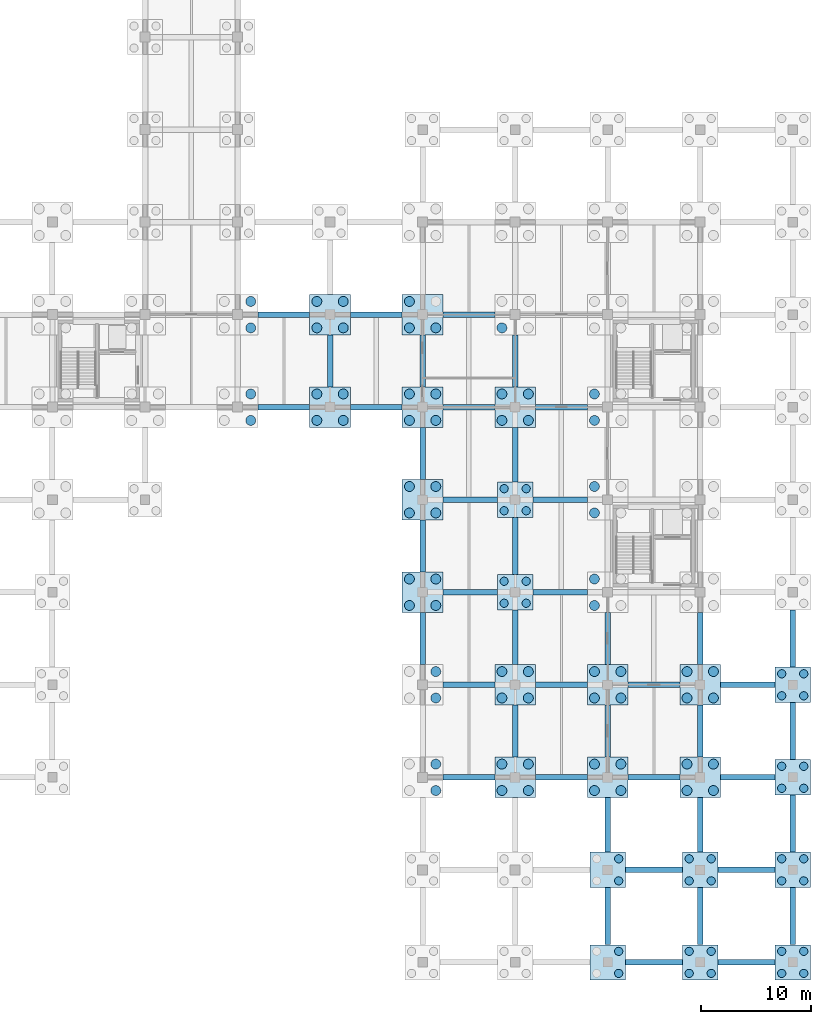
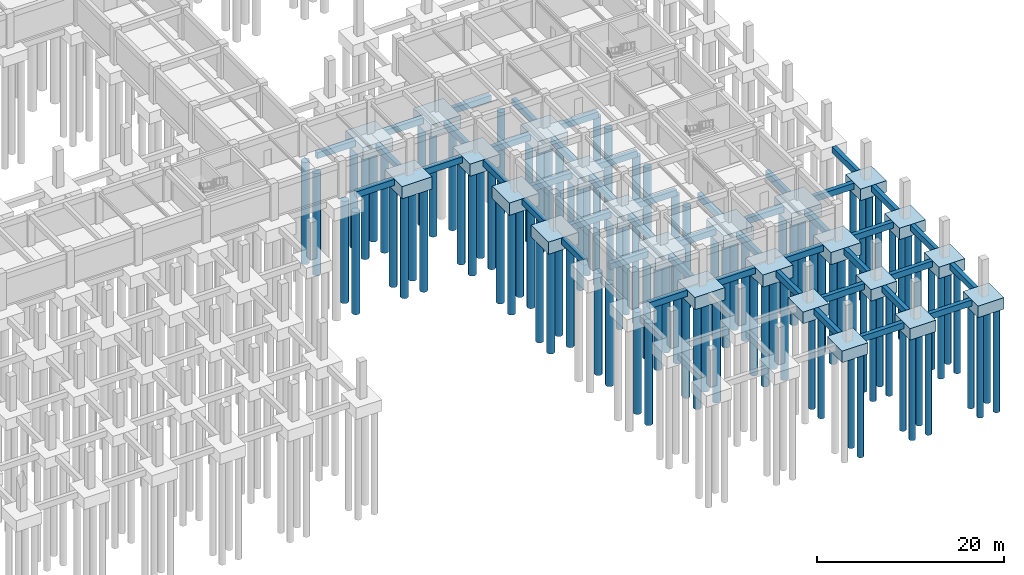
# One storey, part 9 of 29: 102 piles, 68 footings.
"""IFC4 building model written with IfcOpenShell, lengths in metres."""

from ifc_helpers import new_model, si_unit, direction, frame, origin, origin_2d, place, context, subcontext, project, spatial, rectangle, circle, extrude, material, material_profile, profile_set, type_object, element, save


model = new_model("IFC4")

# Units and contexts
model_context = context("Model", 3, precision=1e-05, world=origin(), true_north=direction((0.0, 1.0)))
body_context = subcontext(model_context, "Body", "Model", "MODEL_VIEW")
ifc_project = project(units=[si_unit("LENGTHUNIT", "METRE"), si_unit("AREAUNIT", "SQUARE_METRE"), si_unit("VOLUMEUNIT", "CUBIC_METRE"), si_unit("PLANEANGLEUNIT", "RADIAN"), si_unit("MASSUNIT", "GRAM", prefix="KILO")], contexts=[model_context])

# Site, building, storey
site_placement = place(None, origin())
site = spatial("IfcSite", under=ifc_project, at=site_placement, CompositionType="ELEMENT")
building_placement = place(site_placement, origin())
building = spatial("IfcBuilding", under=site, at=building_placement, Name="Porcellanite Civic Hall", CompositionType="ELEMENT")
storey_placement = place(building_placement, frame((0.0, 0.0, -4.5)))
storey = spatial("IfcBuildingStorey", under=building, at=storey_placement, Name="B1", CompositionType="ELEMENT", Elevation=-4.5)

# Footings
ifc_material_1 = material(Name="Concrete N40 (40 MPa)", Category="concrete")
ifc_material_profile_1 = material_profile(ifc_material_1, rectangle(XDim=0.5, YDim=0.800048828125, at=origin_2d()), Name="RC-500x800")
ifc_profile_set_1 = profile_set([ifc_material_profile_1], Name="Concrete N40 (40 MPa)")
footing_type_1 = type_object("IfcFootingType", Name="GB-01", PredefinedType="FOOTING_BEAM", material=ifc_profile_set_1)
for number, where, z_axis, x_axis, name in (
    (1, (127.85009765625, 50.39990234375, -0.75), (1.0, 0.0, 0.0), (0.0, 1.0, 0.0), "Ground tie beam B1 15-6 X"),
    (2, (127.85009765625, 58.800048828125, -0.75), (1.0, 0.0, 0.0), (0.0, 1.0, 0.0), "Ground tie beam B1 15-7 X"),
    (3, (136.25, 50.39990234375, -0.75), (1.0, 0.0, 0.0), (0.0, 1.0, 0.0), "Ground tie beam B1 16-6 X"),
    (4, (134.39990234375, 52.25, -0.75), (0.0, 1.0, 0.0), (-1.0, 0.0, 0.0), "Ground tie beam B1 16-6 Y"),
    (5, (136.25, 58.800048828125, -0.75), (1.0, 0.0, 0.0), (0.0, 1.0, 0.0), "Ground tie beam B1 16-7 X"),
):
    element("IfcFooting", number, at=place(storey_placement, frame(where, z_axis=z_axis, x_axis=x_axis)), inside=storey, type_object=footing_type_1, Name=name, PredefinedType="FOOTING_BEAM", context=body_context, shape_type="SweptSolid", body=[
        extrude(rectangle(XDim=0.5, YDim=0.800048828125, at=origin_2d()), origin(), (0.0, 0.0, 1.0), 4.699951171875),
    ])
for number, where, z_axis, x_axis, name in (
    (6, (144.64990234375, 16.800048828125, -0.75), (1.0, 0.0, 0.0), (0.0, 1.0, 0.0), "Ground tie beam B1 17-2 X"),
    (7, (144.64990234375, 25.199951171875, -0.75), (1.0, 0.0, 0.0), (0.0, 1.0, 0.0), "Ground tie beam B1 17-3 X"),
):
    element("IfcFooting", number, at=place(storey_placement, frame(where, z_axis=z_axis, x_axis=x_axis)), inside=storey, type_object=footing_type_1, Name=name, PredefinedType="FOOTING_BEAM", context=body_context, shape_type="SweptSolid", body=[
        extrude(rectangle(XDim=0.5, YDim=0.800048828125, at=origin_2d()), origin(), (0.0, 0.0, 1.0), 4.7001953125),
    ])
footing_1_placement = place(storey_placement, frame((142.800048828125, 27.050048828125, -0.75), z_axis=(0.0, 1.0, 0.0), x_axis=(-1.0, 0.0, 0.0)))
element("IfcFooting", 8, at=footing_1_placement, inside=storey, type_object=footing_type_1, Name="Ground tie beam B1 17-3 Y", PredefinedType="FOOTING_BEAM", context=body_context, shape_type="SweptSolid", body=[
    extrude(rectangle(XDim=0.5, YDim=0.800048828125, at=origin_2d()), origin(), (0.0, 0.0, 1.0), 4.699951171875),
])
footing_2_placement = place(storey_placement, frame((144.64990234375, 33.60009765625, -0.75), z_axis=(1.0, 0.0, 0.0), x_axis=(0.0, 1.0, 0.0)))
element("IfcFooting", 9, at=footing_2_placement, inside=storey, type_object=footing_type_1, Name="Ground tie beam B1 17-4 X", PredefinedType="FOOTING_BEAM", context=body_context, shape_type="SweptSolid", body=[
    extrude(rectangle(XDim=0.5, YDim=0.800048828125, at=origin_2d()), origin(), (0.0, 0.0, 1.0), 4.9501953125),
])
footing_3_placement = place(storey_placement, frame((142.800048828125, 35.449951171875, -0.75), z_axis=(0.0, 1.0, 0.0), x_axis=(-1.0, 0.0, 0.0)))
element("IfcFooting", 10, at=footing_3_placement, inside=storey, type_object=footing_type_1, Name="Ground tie beam B1 17-4 Y", PredefinedType="FOOTING_BEAM", context=body_context, shape_type="SweptSolid", body=[
    extrude(rectangle(XDim=0.5, YDim=0.800048828125, at=origin_2d()), origin(), (0.0, 0.0, 1.0), 4.699951171875),
])
footing_4_placement = place(storey_placement, frame((144.64990234375, 42.0, -0.75), z_axis=(1.0, 0.0, 0.0), x_axis=(0.0, 1.0, 0.0)))
element("IfcFooting", 11, at=footing_4_placement, inside=storey, type_object=footing_type_1, Name="Ground tie beam B1 17-5 X", PredefinedType="FOOTING_BEAM", context=body_context, shape_type="SweptSolid", body=[
    extrude(rectangle(XDim=0.5, YDim=0.800048828125, at=origin_2d()), origin(), (0.0, 0.0, 1.0), 4.9501953125),
])
footing_5_placement = place(storey_placement, frame((142.800048828125, 43.85009765625, -0.75), z_axis=(0.0, 1.0, 0.0), x_axis=(-1.0, 0.0, 0.0)))
element("IfcFooting", 12, at=footing_5_placement, inside=storey, type_object=footing_type_1, Name="Ground tie beam B1 17-5 Y", PredefinedType="FOOTING_BEAM", context=body_context, shape_type="SweptSolid", body=[
    extrude(rectangle(XDim=0.5, YDim=0.800048828125, at=origin_2d()), origin(), (0.0, 0.0, 1.0), 4.699951171875),
])
footing_6_placement = place(storey_placement, frame((144.64990234375, 50.39990234375, -0.75), z_axis=(1.0, 0.0, 0.0), x_axis=(0.0, 1.0, 0.0)))
element("IfcFooting", 13, at=footing_6_placement, inside=storey, type_object=footing_type_1, Name="Ground tie beam B1 17-6 X", PredefinedType="FOOTING_BEAM", context=body_context, shape_type="SweptSolid", body=[
    extrude(rectangle(XDim=0.5, YDim=0.800048828125, at=origin_2d()), origin(), (0.0, 0.0, 1.0), 4.7001953125),
])
footing_7_placement = place(storey_placement, frame((142.800048828125, 52.25, -0.75), z_axis=(0.0, 1.0, 0.0), x_axis=(-1.0, 0.0, 0.0)))
element("IfcFooting", 14, at=footing_7_placement, inside=storey, type_object=footing_type_1, Name="Ground tie beam B1 17-6 Y", PredefinedType="FOOTING_BEAM", context=body_context, shape_type="SweptSolid", body=[
    extrude(rectangle(XDim=0.5, YDim=0.800048828125, at=origin_2d()), origin(), (0.0, 0.0, 1.0), 4.699951171875),
])
footing_8_placement = place(storey_placement, frame((144.64990234375, 58.800048828125, -0.75), z_axis=(1.0, 0.0, 0.0), x_axis=(0.0, 1.0, 0.0)))
element("IfcFooting", 15, at=footing_8_placement, inside=storey, type_object=footing_type_1, Name="Ground tie beam B1 17-7 X", PredefinedType="FOOTING_BEAM", context=body_context, shape_type="SweptSolid", body=[
    extrude(rectangle(XDim=0.5, YDim=0.800048828125, at=origin_2d()), origin(), (0.0, 0.0, 1.0), 4.7001953125),
])
footing_9_placement = place(storey_placement, frame((153.050048828125, 16.800048828125, -0.75), z_axis=(1.0, 0.0, 0.0), x_axis=(0.0, 1.0, 0.0)))
element("IfcFooting", 16, at=footing_9_placement, inside=storey, type_object=footing_type_1, Name="Ground tie beam B1 18-2 X", PredefinedType="FOOTING_BEAM", context=body_context, shape_type="SweptSolid", body=[
    extrude(rectangle(XDim=0.5, YDim=0.800048828125, at=origin_2d()), origin(), (0.0, 0.0, 1.0), 4.699951171875),
])
footing_10_placement = place(storey_placement, frame((151.199951171875, 18.64990234375, -0.75), z_axis=(0.0, 1.0, 0.0), x_axis=(-1.0, 0.0, 0.0)))
element("IfcFooting", 17, at=footing_10_placement, inside=storey, type_object=footing_type_1, Name="Ground tie beam B1 18-2 Y", PredefinedType="FOOTING_BEAM", context=body_context, shape_type="SweptSolid", body=[
    extrude(rectangle(XDim=0.5, YDim=0.800048828125, at=origin_2d()), origin(), (0.0, 0.0, 1.0), 4.7001953125),
])
footing_11_placement = place(storey_placement, frame((153.050048828125, 25.199951171875, -0.75), z_axis=(1.0, 0.0, 0.0), x_axis=(0.0, 1.0, 0.0)))
element("IfcFooting", 18, at=footing_11_placement, inside=storey, type_object=footing_type_1, Name="Ground tie beam B1 18-3 X", PredefinedType="FOOTING_BEAM", context=body_context, shape_type="SweptSolid", body=[
    extrude(rectangle(XDim=0.5, YDim=0.800048828125, at=origin_2d()), origin(), (0.0, 0.0, 1.0), 4.699951171875),
])
for number, where, z_axis, x_axis, name in (
    (19, (151.199951171875, 27.050048828125, -0.75), (0.0, 1.0, 0.0), (-1.0, 0.0, 0.0), "Ground tie beam B1 18-3 Y"),
    (20, (152.800048828125, 33.60009765625, -0.75), (1.0, 0.0, 0.0), (0.0, 1.0, 0.0), "Ground tie beam B1 18-4 X"),
):
    element("IfcFooting", number, at=place(storey_placement, frame(where, z_axis=z_axis, x_axis=x_axis)), inside=storey, type_object=footing_type_1, Name=name, PredefinedType="FOOTING_BEAM", context=body_context, shape_type="SweptSolid", body=[
        extrude(rectangle(XDim=0.5, YDim=0.800048828125, at=origin_2d()), origin(), (0.0, 0.0, 1.0), 4.949951171875),
    ])
footing_12_placement = place(storey_placement, frame((151.199951171875, 35.199951171875, -0.75), z_axis=(0.0, 1.0, 0.0), x_axis=(-1.0, 0.0, 0.0)))
element("IfcFooting", 21, at=footing_12_placement, inside=storey, type_object=footing_type_1, Name="Ground tie beam B1 18-4 Y", PredefinedType="FOOTING_BEAM", context=body_context, shape_type="SweptSolid", body=[
    extrude(rectangle(XDim=0.5, YDim=0.800048828125, at=origin_2d()), origin(), (0.0, 0.0, 1.0), 5.199951171875),
])
for number, where, z_axis, x_axis, name in (
    (22, (152.800048828125, 42.0, -0.75), (1.0, 0.0, 0.0), (0.0, 1.0, 0.0), "Ground tie beam B1 18-5 X"),
    (23, (151.199951171875, 43.60009765625, -0.75), (0.0, 1.0, 0.0), (-1.0, 0.0, 0.0), "Ground tie beam B1 18-5 Y"),
):
    element("IfcFooting", number, at=place(storey_placement, frame(where, z_axis=z_axis, x_axis=x_axis)), inside=storey, type_object=footing_type_1, Name=name, PredefinedType="FOOTING_BEAM", context=body_context, shape_type="SweptSolid", body=[
        extrude(rectangle(XDim=0.5, YDim=0.800048828125, at=origin_2d()), origin(), (0.0, 0.0, 1.0), 4.949951171875),
    ])
for number, where, z_axis, x_axis, name in (
    (24, (153.050048828125, 50.39990234375, -0.75), (1.0, 0.0, 0.0), (0.0, 1.0, 0.0), "Ground tie beam B1 18-6 X"),
    (25, (151.199951171875, 52.25, -0.75), (0.0, 1.0, 0.0), (-1.0, 0.0, 0.0), "Ground tie beam B1 18-6 Y"),
):
    element("IfcFooting", number, at=place(storey_placement, frame(where, z_axis=z_axis, x_axis=x_axis)), inside=storey, type_object=footing_type_1, Name=name, PredefinedType="FOOTING_BEAM", context=body_context, shape_type="SweptSolid", body=[
        extrude(rectangle(XDim=0.5, YDim=0.800048828125, at=origin_2d()), origin(), (0.0, 0.0, 1.0), 4.699951171875),
    ])
for number, where, z_axis, x_axis, name in (
    (26, (161.199951171875, 0.0, -0.75), (1.0, 0.0, 0.0), (0.0, 1.0, 0.0), "Ground tie beam B1 19-0 X"),
    (27, (159.60009765625, 1.60009765625, -0.75), (0.0, 1.0, 0.0), (-1.0, 0.0, 0.0), "Ground tie beam B1 19-0 Y"),
    (28, (161.199951171875, 8.39990234375, -0.75), (1.0, 0.0, 0.0), (0.0, 1.0, 0.0), "Ground tie beam B1 19-1 X"),
):
    element("IfcFooting", number, at=place(storey_placement, frame(where, z_axis=z_axis, x_axis=x_axis)), inside=storey, type_object=footing_type_1, Name=name, PredefinedType="FOOTING_BEAM", context=body_context, shape_type="SweptSolid", body=[
        extrude(rectangle(XDim=0.5, YDim=0.800048828125, at=origin_2d()), origin(), (0.0, 0.0, 1.0), 5.199951171875),
    ])
footing_13_placement = place(storey_placement, frame((159.60009765625, 10.0, -0.75), z_axis=(0.0, 1.0, 0.0), x_axis=(-1.0, 0.0, 0.0)))
element("IfcFooting", 29, at=footing_13_placement, inside=storey, type_object=footing_type_1, Name="Ground tie beam B1 19-1 Y", PredefinedType="FOOTING_BEAM", context=body_context, shape_type="SweptSolid", body=[
    extrude(rectangle(XDim=0.5, YDim=0.800048828125, at=origin_2d()), origin(), (0.0, 0.0, 1.0), 4.949951171875),
])
footing_14_placement = place(storey_placement, frame((161.449951171875, 16.800048828125, -0.75), z_axis=(1.0, 0.0, 0.0), x_axis=(0.0, 1.0, 0.0)))
element("IfcFooting", 30, at=footing_14_placement, inside=storey, type_object=footing_type_1, Name="Ground tie beam B1 19-2 X", PredefinedType="FOOTING_BEAM", context=body_context, shape_type="SweptSolid", body=[
    extrude(rectangle(XDim=0.5, YDim=0.800048828125, at=origin_2d()), origin(), (0.0, 0.0, 1.0), 4.699951171875),
])
footing_15_placement = place(storey_placement, frame((159.60009765625, 18.64990234375, -0.75), z_axis=(0.0, 1.0, 0.0), x_axis=(-1.0, 0.0, 0.0)))
element("IfcFooting", 31, at=footing_15_placement, inside=storey, type_object=footing_type_1, Name="Ground tie beam B1 19-2 Y", PredefinedType="FOOTING_BEAM", context=body_context, shape_type="SweptSolid", body=[
    extrude(rectangle(XDim=0.5, YDim=0.800048828125, at=origin_2d()), origin(), (0.0, 0.0, 1.0), 4.7001953125),
])
for number, where, z_axis, x_axis, name in (
    (32, (161.449951171875, 25.199951171875, -0.75), (1.0, 0.0, 0.0), (0.0, 1.0, 0.0), "Ground tie beam B1 19-3 X"),
    (33, (159.60009765625, 27.050048828125, -0.75), (0.0, 1.0, 0.0), (-1.0, 0.0, 0.0), "Ground tie beam B1 19-3 Y"),
):
    element("IfcFooting", number, at=place(storey_placement, frame(where, z_axis=z_axis, x_axis=x_axis)), inside=storey, type_object=footing_type_1, Name=name, PredefinedType="FOOTING_BEAM", context=body_context, shape_type="SweptSolid", body=[
        extrude(rectangle(XDim=0.5, YDim=0.800048828125, at=origin_2d()), origin(), (0.0, 0.0, 1.0), 4.699951171875),
    ])
for number, where, z_axis, x_axis, name in (
    (34, (169.60009765625, 0.0, -0.75), (1.0, 0.0, 0.0), (0.0, 1.0, 0.0), "Ground tie beam B1 20-0 X"),
    (35, (168.0, 1.60009765625, -0.75), (0.0, 1.0, 0.0), (-1.0, 0.0, 0.0), "Ground tie beam B1 20-0 Y"),
    (36, (169.60009765625, 8.39990234375, -0.75), (1.0, 0.0, 0.0), (0.0, 1.0, 0.0), "Ground tie beam B1 20-1 X"),
):
    element("IfcFooting", number, at=place(storey_placement, frame(where, z_axis=z_axis, x_axis=x_axis)), inside=storey, type_object=footing_type_1, Name=name, PredefinedType="FOOTING_BEAM", context=body_context, shape_type="SweptSolid", body=[
        extrude(rectangle(XDim=0.5, YDim=0.800048828125, at=origin_2d()), origin(), (0.0, 0.0, 1.0), 5.199951171875),
    ])
for number, where, z_axis, x_axis, name in (
    (37, (168.0, 10.0, -0.75), (0.0, 1.0, 0.0), (-1.0, 0.0, 0.0), "Ground tie beam B1 20-1 Y"),
    (38, (169.85009765625, 16.800048828125, -0.75), (1.0, 0.0, 0.0), (0.0, 1.0, 0.0), "Ground tie beam B1 20-2 X"),
):
    element("IfcFooting", number, at=place(storey_placement, frame(where, z_axis=z_axis, x_axis=x_axis)), inside=storey, type_object=footing_type_1, Name=name, PredefinedType="FOOTING_BEAM", context=body_context, shape_type="SweptSolid", body=[
        extrude(rectangle(XDim=0.5, YDim=0.800048828125, at=origin_2d()), origin(), (0.0, 0.0, 1.0), 4.949951171875),
    ])
footing_16_placement = place(storey_placement, frame((168.0, 18.64990234375, -0.75), z_axis=(0.0, 1.0, 0.0), x_axis=(-1.0, 0.0, 0.0)))
element("IfcFooting", 39, at=footing_16_placement, inside=storey, type_object=footing_type_1, Name="Ground tie beam B1 20-2 Y", PredefinedType="FOOTING_BEAM", context=body_context, shape_type="SweptSolid", body=[
    extrude(rectangle(XDim=0.5, YDim=0.800048828125, at=origin_2d()), origin(), (0.0, 0.0, 1.0), 4.7001953125),
])
footing_17_placement = place(storey_placement, frame((169.85009765625, 25.199951171875, -0.75), z_axis=(1.0, 0.0, 0.0), x_axis=(0.0, 1.0, 0.0)))
element("IfcFooting", 40, at=footing_17_placement, inside=storey, type_object=footing_type_1, Name="Ground tie beam B1 20-3 X", PredefinedType="FOOTING_BEAM", context=body_context, shape_type="SweptSolid", body=[
    extrude(rectangle(XDim=0.5, YDim=0.800048828125, at=origin_2d()), origin(), (0.0, 0.0, 1.0), 4.949951171875),
])
footing_18_placement = place(storey_placement, frame((168.0, 27.050048828125, -0.75), z_axis=(0.0, 1.0, 0.0), x_axis=(-1.0, 0.0, 0.0)))
element("IfcFooting", 41, at=footing_18_placement, inside=storey, type_object=footing_type_1, Name="Ground tie beam B1 20-3 Y", PredefinedType="FOOTING_BEAM", context=body_context, shape_type="SweptSolid", body=[
    extrude(rectangle(XDim=0.5, YDim=0.800048828125, at=origin_2d()), origin(), (0.0, 0.0, 1.0), 4.699951171875),
])
for number, where, z_axis, x_axis, name in (
    (42, (176.39990234375, 1.60009765625, -0.75), (0.0, 1.0, 0.0), (-1.0, 0.0, 0.0), "Ground tie beam B1 21-0 Y"),
    (43, (176.39990234375, 10.0, -0.75), (0.0, 1.0, 0.0), (-1.0, 0.0, 0.0), "Ground tie beam B1 21-1 Y"),
):
    element("IfcFooting", number, at=place(storey_placement, frame(where, z_axis=z_axis, x_axis=x_axis)), inside=storey, type_object=footing_type_1, Name=name, PredefinedType="FOOTING_BEAM", context=body_context, shape_type="SweptSolid", body=[
        extrude(rectangle(XDim=0.5, YDim=0.800048828125, at=origin_2d()), origin(), (0.0, 0.0, 1.0), 5.199951171875),
    ])
footing_19_placement = place(storey_placement, frame((176.39990234375, 18.39990234375, -0.75), z_axis=(0.0, 1.0, 0.0), x_axis=(-1.0, 0.0, 0.0)))
element("IfcFooting", 44, at=footing_19_placement, inside=storey, type_object=footing_type_1, Name="Ground tie beam B1 21-2 Y", PredefinedType="FOOTING_BEAM", context=body_context, shape_type="SweptSolid", body=[
    extrude(rectangle(XDim=0.5, YDim=0.800048828125, at=origin_2d()), origin(), (0.0, 0.0, 1.0), 5.2001953125),
])
footing_20_placement = place(storey_placement, frame((176.39990234375, 26.800048828125, -0.75), z_axis=(0.0, 1.0, 0.0), x_axis=(-1.0, 0.0, 0.0)))
element("IfcFooting", 45, at=footing_20_placement, inside=storey, type_object=footing_type_1, Name="Ground tie beam B1 21-3 Y", PredefinedType="FOOTING_BEAM", context=body_context, shape_type="SweptSolid", body=[
    extrude(rectangle(XDim=0.5, YDim=0.800048828125, at=origin_2d()), origin(), (0.0, 0.0, 1.0), 5.199951171875),
])
ifc_material_2 = material(Name="Concrete N40 (40 MPa)", Category="concrete")
footing_type_2 = type_object("IfcFootingType", Name="PC-02", PredefinedType="PILE_CAP", material=ifc_material_2)
for number, where, z_axis, x_axis, name in (
    (46, (151.199951171875, 33.60009765625, -1.85009765625), (0.0, 0.0, 1.0), (1.0, 0.0, 0.0), "Pile cap 18-4"),
    (47, (151.199951171875, 42.0, -1.85009765625), (0.0, 0.0, 1.0), (1.0, 0.0, 0.0), "Pile cap 18-5"),
    (48, (159.60009765625, 0.0, -1.85009765625), (0.0, 0.0, 1.0), (1.0, 0.0, 0.0), "Pile cap 19-0"),
    (49, (159.60009765625, 8.39990234375, -1.85009765625), (0.0, 0.0, 1.0), (1.0, 0.0, 0.0), "Pile cap 19-1"),
    (50, (168.0, 0.0, -1.85009765625), (0.0, 0.0, 1.0), (1.0, 0.0, 0.0), "Pile cap 20-0"),
    (51, (168.0, 8.39990234375, -1.85009765625), (0.0, 0.0, 1.0), (1.0, 0.0, 0.0), "Pile cap 20-1"),
    (52, (176.39990234375, 0.0, -1.85009765625), (0.0, 0.0, 1.0), (1.0, 0.0, 0.0), "Pile cap 21-0"),
    (53, (176.39990234375, 8.39990234375, -1.85009765625), (0.0, 0.0, 1.0), (1.0, 0.0, 0.0), "Pile cap 21-1"),
    (54, (176.39990234375, 16.800048828125, -1.85009765625), (0.0, 0.0, 1.0), (1.0, 0.0, 0.0), "Pile cap 21-2"),
    (55, (176.39990234375, 25.199951171875, -1.85009765625), (0.0, 0.0, 1.0), (1.0, 0.0, 0.0), "Pile cap 21-3"),
):
    element("IfcFooting", number, at=place(storey_placement, frame(where, z_axis=z_axis, x_axis=x_axis)), inside=storey, type_object=footing_type_2, Name=name, PredefinedType="PILE_CAP", context=body_context, shape_type="SweptSolid", body=[
        extrude(rectangle(XDim=3.199951171875, YDim=3.199951171875, at=origin_2d()), origin(), (0.0, 0.0, 1.0), 1.5),
    ])
ifc_material_3 = material(Name="Concrete N40 (40 MPa)", Category="concrete")
footing_type_3 = type_object("IfcFootingType", Name="PC-03", PredefinedType="PILE_CAP", material=ifc_material_3)
for number, where, z_axis, x_axis, name in (
    (56, (134.39990234375, 50.39990234375, -1.949951171875), (0.0, 0.0, 1.0), (1.0, 0.0, 0.0), "Pile cap 16-6"),
    (57, (134.39990234375, 58.800048828125, -1.949951171875), (0.0, 0.0, 1.0), (1.0, 0.0, 0.0), "Pile cap 16-7"),
    (58, (142.800048828125, 33.60009765625, -1.949951171875), (0.0, 0.0, 1.0), (1.0, 0.0, 0.0), "Pile cap 17-4"),
    (59, (142.800048828125, 42.0, -1.949951171875), (0.0, 0.0, 1.0), (1.0, 0.0, 0.0), "Pile cap 17-5"),
    (60, (142.800048828125, 50.39990234375, -1.949951171875), (0.0, 0.0, 1.0), (1.0, 0.0, 0.0), "Pile cap 17-6"),
    (61, (142.800048828125, 58.800048828125, -1.949951171875), (0.0, 0.0, 1.0), (1.0, 0.0, 0.0), "Pile cap 17-7"),
    (62, (151.199951171875, 16.800048828125, -1.949951171875), (0.0, 0.0, 1.0), (1.0, 0.0, 0.0), "Pile cap 18-2"),
    (63, (151.199951171875, 25.199951171875, -1.949951171875), (0.0, 0.0, 1.0), (1.0, 0.0, 0.0), "Pile cap 18-3"),
    (64, (151.199951171875, 50.39990234375, -1.949951171875), (0.0, 0.0, 1.0), (1.0, 0.0, 0.0), "Pile cap 18-6"),
    (65, (159.60009765625, 16.800048828125, -1.949951171875), (0.0, 0.0, 1.0), (1.0, 0.0, 0.0), "Pile cap 19-2"),
    (66, (159.60009765625, 25.199951171875, -1.949951171875), (0.0, 0.0, 1.0), (1.0, 0.0, 0.0), "Pile cap 19-3"),
    (67, (168.0, 16.800048828125, -1.949951171875), (0.0, 0.0, 1.0), (1.0, 0.0, 0.0), "Pile cap 20-2"),
    (68, (168.0, 25.199951171875, -1.949951171875), (0.0, 0.0, 1.0), (1.0, 0.0, 0.0), "Pile cap 20-3"),
):
    element("IfcFooting", number, at=place(storey_placement, frame(where, z_axis=z_axis, x_axis=x_axis)), inside=storey, type_object=footing_type_3, Name=name, PredefinedType="PILE_CAP", context=body_context, shape_type="SweptSolid", body=[
        extrude(rectangle(XDim=3.699951171875, YDim=3.699951171875, at=origin_2d()), origin(), (0.0, 0.0, 1.0), 1.60009765625),
    ])

# Piles
ifc_material_4 = material(Name="Concrete N40 (40 MPa)", Category="concrete")
ifc_material_profile_2 = material_profile(ifc_material_4, circle(Radius=0.375, at=origin_2d()), Name="PILE-D750")
ifc_profile_set_2 = profile_set([ifc_material_profile_2], Name="Concrete N40 (40 MPa)")
pile_type_1 = type_object("IfcPileType", Name="PL-750", PredefinedType="BORED", material=ifc_profile_set_2)
for number, where, z_axis, x_axis, name in (
    (69, (150.199951171875, 32.60009765625, -1.85009765625), (0.0, 0.0, -1.0), (1.0, 0.0, 0.0), "Bored pile 18-4-1"),
    (70, (150.199951171875, 34.60009765625, -1.85009765625), (0.0, 0.0, -1.0), (1.0, 0.0, 0.0), "Bored pile 18-4-2"),
    (71, (152.199951171875, 32.60009765625, -1.85009765625), (0.0, 0.0, -1.0), (1.0, 0.0, 0.0), "Bored pile 18-4-3"),
    (72, (152.199951171875, 34.60009765625, -1.85009765625), (0.0, 0.0, -1.0), (1.0, 0.0, 0.0), "Bored pile 18-4-4"),
    (73, (150.199951171875, 41.0, -1.85009765625), (0.0, 0.0, -1.0), (1.0, 0.0, 0.0), "Bored pile 18-5-1"),
    (74, (150.199951171875, 43.0, -1.85009765625), (0.0, 0.0, -1.0), (1.0, 0.0, 0.0), "Bored pile 18-5-2"),
    (75, (152.199951171875, 41.0, -1.85009765625), (0.0, 0.0, -1.0), (1.0, 0.0, 0.0), "Bored pile 18-5-3"),
    (76, (152.199951171875, 43.0, -1.85009765625), (0.0, 0.0, -1.0), (1.0, 0.0, 0.0), "Bored pile 18-5-4"),
    (77, (160.60009765625, -1.0, -1.85009765625), (0.0, 0.0, -1.0), (1.0, 0.0, 0.0), "Bored pile 19-0-3"),
    (78, (160.60009765625, 1.0, -1.85009765625), (0.0, 0.0, -1.0), (1.0, 0.0, 0.0), "Bored pile 19-0-4"),
    (79, (160.60009765625, 7.39990234375, -1.85009765625), (0.0, 0.0, -1.0), (1.0, 0.0, 0.0), "Bored pile 19-1-3"),
    (80, (160.60009765625, 9.39990234375, -1.85009765625), (0.0, 0.0, -1.0), (1.0, 0.0, 0.0), "Bored pile 19-1-4"),
    (81, (167.0, -1.0, -1.85009765625), (0.0, 0.0, -1.0), (1.0, 0.0, 0.0), "Bored pile 20-0-1"),
    (82, (167.0, 1.0, -1.85009765625), (0.0, 0.0, -1.0), (1.0, 0.0, 0.0), "Bored pile 20-0-2"),
    (83, (169.0, -1.0, -1.85009765625), (0.0, 0.0, -1.0), (1.0, 0.0, 0.0), "Bored pile 20-0-3"),
    (84, (169.0, 1.0, -1.85009765625), (0.0, 0.0, -1.0), (1.0, 0.0, 0.0), "Bored pile 20-0-4"),
    (85, (167.0, 7.39990234375, -1.85009765625), (0.0, 0.0, -1.0), (1.0, 0.0, 0.0), "Bored pile 20-1-1"),
    (86, (167.0, 9.39990234375, -1.85009765625), (0.0, 0.0, -1.0), (1.0, 0.0, 0.0), "Bored pile 20-1-2"),
    (87, (169.0, 7.39990234375, -1.85009765625), (0.0, 0.0, -1.0), (1.0, 0.0, 0.0), "Bored pile 20-1-3"),
    (88, (169.0, 9.39990234375, -1.85009765625), (0.0, 0.0, -1.0), (1.0, 0.0, 0.0), "Bored pile 20-1-4"),
    (89, (175.39990234375, -1.0, -1.85009765625), (0.0, 0.0, -1.0), (1.0, 0.0, 0.0), "Bored pile 21-0-1"),
    (90, (175.39990234375, 1.0, -1.85009765625), (0.0, 0.0, -1.0), (1.0, 0.0, 0.0), "Bored pile 21-0-2"),
    (91, (177.39990234375, -1.0, -1.85009765625), (0.0, 0.0, -1.0), (1.0, 0.0, 0.0), "Bored pile 21-0-3"),
    (92, (177.39990234375, 1.0, -1.85009765625), (0.0, 0.0, -1.0), (1.0, 0.0, 0.0), "Bored pile 21-0-4"),
    (93, (175.39990234375, 7.39990234375, -1.85009765625), (0.0, 0.0, -1.0), (1.0, 0.0, 0.0), "Bored pile 21-1-1"),
    (94, (175.39990234375, 9.39990234375, -1.85009765625), (0.0, 0.0, -1.0), (1.0, 0.0, 0.0), "Bored pile 21-1-2"),
    (95, (177.39990234375, 7.39990234375, -1.85009765625), (0.0, 0.0, -1.0), (1.0, 0.0, 0.0), "Bored pile 21-1-3"),
    (96, (177.39990234375, 9.39990234375, -1.85009765625), (0.0, 0.0, -1.0), (1.0, 0.0, 0.0), "Bored pile 21-1-4"),
    (97, (175.39990234375, 15.800048828125, -1.85009765625), (0.0, 0.0, -1.0), (1.0, 0.0, 0.0), "Bored pile 21-2-1"),
    (98, (175.39990234375, 17.800048828125, -1.85009765625), (0.0, 0.0, -1.0), (1.0, 0.0, 0.0), "Bored pile 21-2-2"),
    (99, (177.39990234375, 15.800048828125, -1.85009765625), (0.0, 0.0, -1.0), (1.0, 0.0, 0.0), "Bored pile 21-2-3"),
    (100, (177.39990234375, 17.800048828125, -1.85009765625), (0.0, 0.0, -1.0), (1.0, 0.0, 0.0), "Bored pile 21-2-4"),
    (101, (175.39990234375, 24.199951171875, -1.85009765625), (0.0, 0.0, -1.0), (1.0, 0.0, 0.0), "Bored pile 21-3-1"),
    (102, (175.39990234375, 26.199951171875, -1.85009765625), (0.0, 0.0, -1.0), (1.0, 0.0, 0.0), "Bored pile 21-3-2"),
    (103, (177.39990234375, 24.199951171875, -1.85009765625), (0.0, 0.0, -1.0), (1.0, 0.0, 0.0), "Bored pile 21-3-3"),
    (104, (177.39990234375, 26.199951171875, -1.85009765625), (0.0, 0.0, -1.0), (1.0, 0.0, 0.0), "Bored pile 21-3-4"),
):
    element("IfcPile", number, at=place(storey_placement, frame(where, z_axis=z_axis, x_axis=x_axis)), inside=storey, type_object=pile_type_1, Name=name, PredefinedType="BORED", context=body_context, shape_type="SweptSolid", body=[
        extrude(circle(Radius=0.375, at=origin_2d()), origin(), (0.0, 0.0, 1.0), 13.449951171875),
    ])
ifc_material_5 = material(Name="Concrete N40 (40 MPa)", Category="concrete")
ifc_material_profile_3 = material_profile(ifc_material_5, circle(Radius=0.449951171875, at=origin_2d()), Name="PILE-D900")
ifc_profile_set_3 = profile_set([ifc_material_profile_3], Name="Concrete N40 (40 MPa)")
pile_type_2 = type_object("IfcPileType", Name="PL-900", PredefinedType="BORED", material=ifc_profile_set_3)
for number, where, z_axis, x_axis, name in (
    (105, (127.199951171875, 49.199951171875, -1.949951171875), (0.0, 0.0, -1.0), (1.0, 0.0, 0.0), "Bored pile 15-6-3"),
    (106, (127.199951171875, 51.60009765625, -1.949951171875), (0.0, 0.0, -1.0), (1.0, 0.0, 0.0), "Bored pile 15-6-4"),
    (107, (127.199951171875, 57.60009765625, -1.949951171875), (0.0, 0.0, -1.0), (1.0, 0.0, 0.0), "Bored pile 15-7-3"),
    (108, (127.199951171875, 60.0, -1.949951171875), (0.0, 0.0, -1.0), (1.0, 0.0, 0.0), "Bored pile 15-7-4"),
    (109, (133.199951171875, 49.199951171875, -1.949951171875), (0.0, 0.0, -1.0), (1.0, 0.0, 0.0), "Bored pile 16-6-1"),
    (110, (133.199951171875, 51.60009765625, -1.949951171875), (0.0, 0.0, -1.0), (1.0, 0.0, 0.0), "Bored pile 16-6-2"),
    (111, (135.60009765625, 49.199951171875, -1.949951171875), (0.0, 0.0, -1.0), (1.0, 0.0, 0.0), "Bored pile 16-6-3"),
    (112, (135.60009765625, 51.60009765625, -1.949951171875), (0.0, 0.0, -1.0), (1.0, 0.0, 0.0), "Bored pile 16-6-4"),
    (113, (133.199951171875, 57.60009765625, -1.949951171875), (0.0, 0.0, -1.0), (1.0, 0.0, 0.0), "Bored pile 16-7-1"),
    (114, (133.199951171875, 60.0, -1.949951171875), (0.0, 0.0, -1.0), (1.0, 0.0, 0.0), "Bored pile 16-7-2"),
    (115, (135.60009765625, 57.60009765625, -1.949951171875), (0.0, 0.0, -1.0), (1.0, 0.0, 0.0), "Bored pile 16-7-3"),
    (116, (135.60009765625, 60.0, -1.949951171875), (0.0, 0.0, -1.0), (1.0, 0.0, 0.0), "Bored pile 16-7-4"),
    (117, (144.0, 15.60009765625, -1.949951171875), (0.0, 0.0, -1.0), (1.0, 0.0, 0.0), "Bored pile 17-2-3"),
    (118, (144.0, 18.0, -1.949951171875), (0.0, 0.0, -1.0), (1.0, 0.0, 0.0), "Bored pile 17-2-4"),
    (119, (144.0, 24.0, -1.949951171875), (0.0, 0.0, -1.0), (1.0, 0.0, 0.0), "Bored pile 17-3-3"),
    (120, (144.0, 26.39990234375, -1.949951171875), (0.0, 0.0, -1.0), (1.0, 0.0, 0.0), "Bored pile 17-3-4"),
    (121, (141.60009765625, 32.39990234375, -1.949951171875), (0.0, 0.0, -1.0), (1.0, 0.0, 0.0), "Bored pile 17-4-1"),
    (122, (141.60009765625, 34.800048828125, -1.949951171875), (0.0, 0.0, -1.0), (1.0, 0.0, 0.0), "Bored pile 17-4-2"),
    (123, (144.0, 32.39990234375, -1.949951171875), (0.0, 0.0, -1.0), (1.0, 0.0, 0.0), "Bored pile 17-4-3"),
    (124, (144.0, 34.800048828125, -1.949951171875), (0.0, 0.0, -1.0), (1.0, 0.0, 0.0), "Bored pile 17-4-4"),
    (125, (141.60009765625, 40.800048828125, -1.949951171875), (0.0, 0.0, -1.0), (1.0, 0.0, 0.0), "Bored pile 17-5-1"),
    (126, (141.60009765625, 43.199951171875, -1.949951171875), (0.0, 0.0, -1.0), (1.0, 0.0, 0.0), "Bored pile 17-5-2"),
    (127, (144.0, 40.800048828125, -1.949951171875), (0.0, 0.0, -1.0), (1.0, 0.0, 0.0), "Bored pile 17-5-3"),
    (128, (144.0, 43.199951171875, -1.949951171875), (0.0, 0.0, -1.0), (1.0, 0.0, 0.0), "Bored pile 17-5-4"),
    (129, (141.60009765625, 49.199951171875, -1.949951171875), (0.0, 0.0, -1.0), (1.0, 0.0, 0.0), "Bored pile 17-6-1"),
    (130, (141.60009765625, 51.60009765625, -1.949951171875), (0.0, 0.0, -1.0), (1.0, 0.0, 0.0), "Bored pile 17-6-2"),
    (131, (144.0, 49.199951171875, -1.949951171875), (0.0, 0.0, -1.0), (1.0, 0.0, 0.0), "Bored pile 17-6-3"),
    (132, (144.0, 51.60009765625, -1.949951171875), (0.0, 0.0, -1.0), (1.0, 0.0, 0.0), "Bored pile 17-6-4"),
    (133, (141.60009765625, 57.60009765625, -1.949951171875), (0.0, 0.0, -1.0), (1.0, 0.0, 0.0), "Bored pile 17-7-1"),
    (134, (141.60009765625, 60.0, -1.949951171875), (0.0, 0.0, -1.0), (1.0, 0.0, 0.0), "Bored pile 17-7-2"),
    (135, (144.0, 57.60009765625, -1.949951171875), (0.0, 0.0, -1.0), (1.0, 0.0, 0.0), "Bored pile 17-7-3"),
    (136, (150.0, 15.60009765625, -1.949951171875), (0.0, 0.0, -1.0), (1.0, 0.0, 0.0), "Bored pile 18-2-1"),
    (137, (150.0, 18.0, -1.949951171875), (0.0, 0.0, -1.0), (1.0, 0.0, 0.0), "Bored pile 18-2-2"),
    (138, (152.39990234375, 15.60009765625, -1.949951171875), (0.0, 0.0, -1.0), (1.0, 0.0, 0.0), "Bored pile 18-2-3"),
    (139, (152.39990234375, 18.0, -1.949951171875), (0.0, 0.0, -1.0), (1.0, 0.0, 0.0), "Bored pile 18-2-4"),
    (140, (150.0, 24.0, -1.949951171875), (0.0, 0.0, -1.0), (1.0, 0.0, 0.0), "Bored pile 18-3-1"),
    (141, (150.0, 26.39990234375, -1.949951171875), (0.0, 0.0, -1.0), (1.0, 0.0, 0.0), "Bored pile 18-3-2"),
    (142, (152.39990234375, 24.0, -1.949951171875), (0.0, 0.0, -1.0), (1.0, 0.0, 0.0), "Bored pile 18-3-3"),
    (143, (152.39990234375, 26.39990234375, -1.949951171875), (0.0, 0.0, -1.0), (1.0, 0.0, 0.0), "Bored pile 18-3-4"),
    (144, (150.0, 49.199951171875, -1.949951171875), (0.0, 0.0, -1.0), (1.0, 0.0, 0.0), "Bored pile 18-6-1"),
    (145, (150.0, 51.60009765625, -1.949951171875), (0.0, 0.0, -1.0), (1.0, 0.0, 0.0), "Bored pile 18-6-2"),
    (146, (152.39990234375, 49.199951171875, -1.949951171875), (0.0, 0.0, -1.0), (1.0, 0.0, 0.0), "Bored pile 18-6-3"),
    (147, (152.39990234375, 51.60009765625, -1.949951171875), (0.0, 0.0, -1.0), (1.0, 0.0, 0.0), "Bored pile 18-6-4"),
    (148, (150.0, 57.60009765625, -1.949951171875), (0.0, 0.0, -1.0), (1.0, 0.0, 0.0), "Bored pile 18-7-1"),
    (149, (158.39990234375, 15.60009765625, -1.949951171875), (0.0, 0.0, -1.0), (1.0, 0.0, 0.0), "Bored pile 19-2-1"),
    (150, (158.39990234375, 18.0, -1.949951171875), (0.0, 0.0, -1.0), (1.0, 0.0, 0.0), "Bored pile 19-2-2"),
    (151, (160.800048828125, 15.60009765625, -1.949951171875), (0.0, 0.0, -1.0), (1.0, 0.0, 0.0), "Bored pile 19-2-3"),
    (152, (160.800048828125, 18.0, -1.949951171875), (0.0, 0.0, -1.0), (1.0, 0.0, 0.0), "Bored pile 19-2-4"),
    (153, (158.39990234375, 24.0, -1.949951171875), (0.0, 0.0, -1.0), (1.0, 0.0, 0.0), "Bored pile 19-3-1"),
    (154, (158.39990234375, 26.39990234375, -1.949951171875), (0.0, 0.0, -1.0), (1.0, 0.0, 0.0), "Bored pile 19-3-2"),
    (155, (160.800048828125, 24.0, -1.949951171875), (0.0, 0.0, -1.0), (1.0, 0.0, 0.0), "Bored pile 19-3-3"),
    (156, (160.800048828125, 26.39990234375, -1.949951171875), (0.0, 0.0, -1.0), (1.0, 0.0, 0.0), "Bored pile 19-3-4"),
    (157, (158.39990234375, 32.39990234375, -1.949951171875), (0.0, 0.0, -1.0), (1.0, 0.0, 0.0), "Bored pile 19-4-1"),
    (158, (158.39990234375, 34.800048828125, -1.949951171875), (0.0, 0.0, -1.0), (1.0, 0.0, 0.0), "Bored pile 19-4-2"),
    (159, (158.39990234375, 40.800048828125, -1.949951171875), (0.0, 0.0, -1.0), (1.0, 0.0, 0.0), "Bored pile 19-5-1"),
    (160, (158.39990234375, 43.199951171875, -1.949951171875), (0.0, 0.0, -1.0), (1.0, 0.0, 0.0), "Bored pile 19-5-2"),
    (161, (158.39990234375, 49.199951171875, -1.949951171875), (0.0, 0.0, -1.0), (1.0, 0.0, 0.0), "Bored pile 19-6-1"),
    (162, (158.39990234375, 51.60009765625, -1.949951171875), (0.0, 0.0, -1.0), (1.0, 0.0, 0.0), "Bored pile 19-6-2"),
    (163, (166.800048828125, 15.60009765625, -1.949951171875), (0.0, 0.0, -1.0), (1.0, 0.0, 0.0), "Bored pile 20-2-1"),
    (164, (166.800048828125, 18.0, -1.949951171875), (0.0, 0.0, -1.0), (1.0, 0.0, 0.0), "Bored pile 20-2-2"),
    (165, (169.199951171875, 15.60009765625, -1.949951171875), (0.0, 0.0, -1.0), (1.0, 0.0, 0.0), "Bored pile 20-2-3"),
    (166, (169.199951171875, 18.0, -1.949951171875), (0.0, 0.0, -1.0), (1.0, 0.0, 0.0), "Bored pile 20-2-4"),
    (167, (166.800048828125, 24.0, -1.949951171875), (0.0, 0.0, -1.0), (1.0, 0.0, 0.0), "Bored pile 20-3-1"),
    (168, (166.800048828125, 26.39990234375, -1.949951171875), (0.0, 0.0, -1.0), (1.0, 0.0, 0.0), "Bored pile 20-3-2"),
    (169, (169.199951171875, 24.0, -1.949951171875), (0.0, 0.0, -1.0), (1.0, 0.0, 0.0), "Bored pile 20-3-3"),
    (170, (169.199951171875, 26.39990234375, -1.949951171875), (0.0, 0.0, -1.0), (1.0, 0.0, 0.0), "Bored pile 20-3-4"),
):
    element("IfcPile", number, at=place(storey_placement, frame(where, z_axis=z_axis, x_axis=x_axis)), inside=storey, type_object=pile_type_2, Name=name, PredefinedType="BORED", context=body_context, shape_type="SweptSolid", body=[
        extrude(circle(Radius=0.449951171875, at=origin_2d()), origin(), (0.0, 0.0, 1.0), 13.35009765625),
    ])

save(model, "model.ifc")
